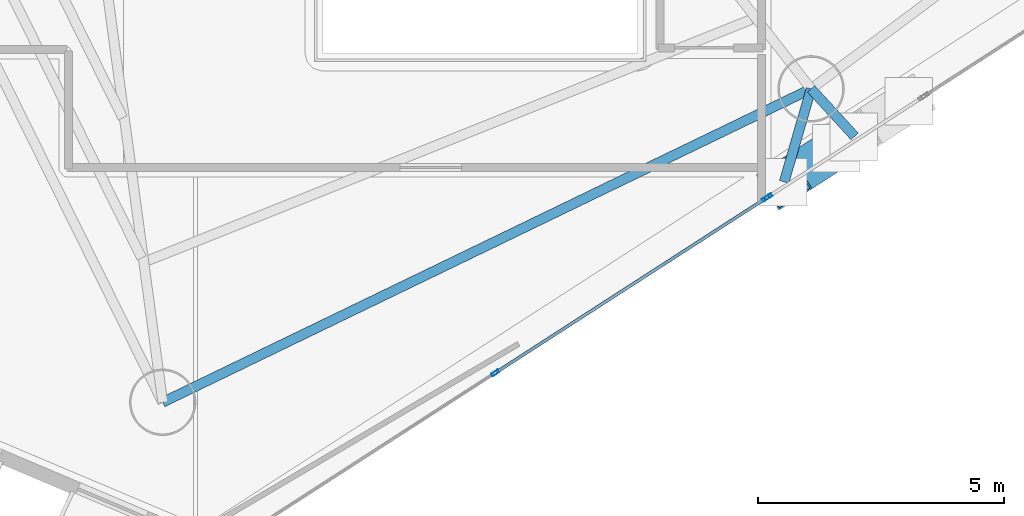
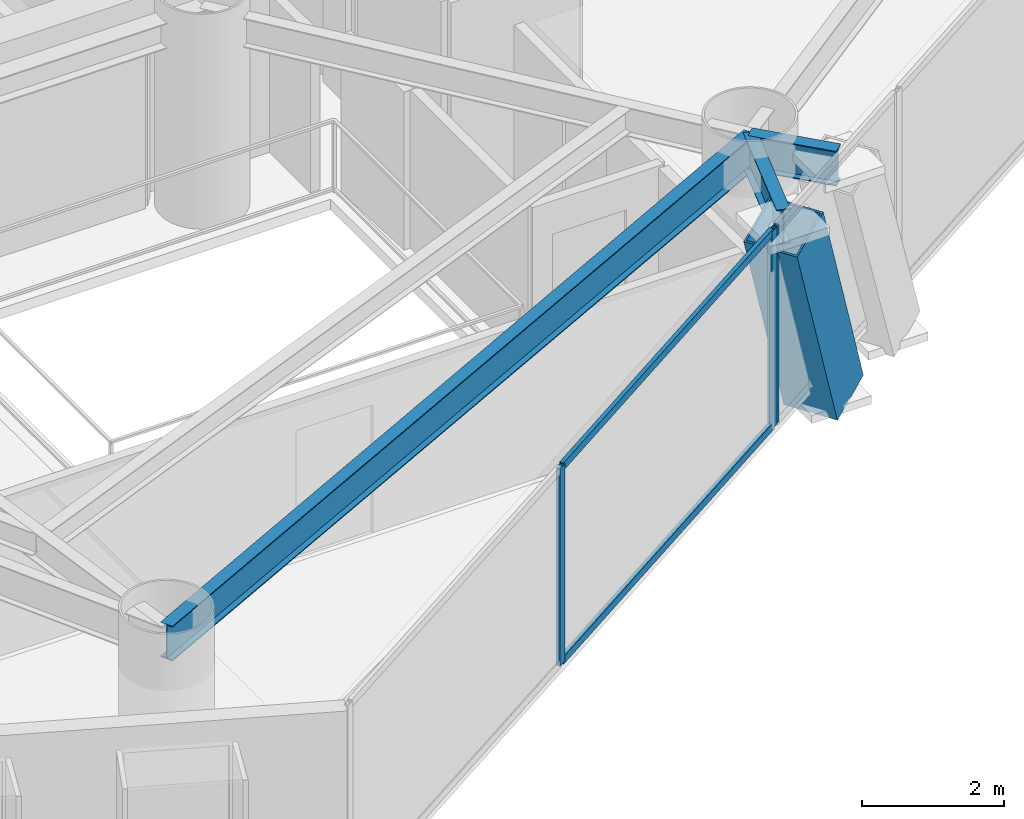
# One storey, part 5 of 22: 6 members, 3 beams, 2 elements without a shape of their own.
"""IFC4 building model written with IfcOpenShell, lengths in metres."""

from ifc_helpers import new_model, si_unit, direction, frame, origin, origin_2d, place, context, subcontext, project, spatial, hollow_rectangle, i_section, extrude, material, layer, layer_set, material_profile, profile_set, type_object, element, aggregate, save


model = new_model("IFC4")

# Units and contexts
model_context = context("Model", 3, precision=1e-05, world=origin(), true_north=direction((0.0, 1.0)))
body_context = subcontext(model_context, "Body", "Model", "MODEL_VIEW")
ifc_project = project(units=[si_unit("LENGTHUNIT", "METRE"), si_unit("AREAUNIT", "SQUARE_METRE"), si_unit("VOLUMEUNIT", "CUBIC_METRE"), si_unit("PLANEANGLEUNIT", "RADIAN"), si_unit("MASSUNIT", "GRAM", prefix="KILO")], contexts=[model_context])

# Site, building, storey
site_placement = place(None, origin())
site = spatial("IfcSite", under=ifc_project, at=site_placement, CompositionType="ELEMENT")
building_placement = place(site_placement, origin())
building = spatial("IfcBuilding", under=site, at=building_placement, Name="Qianvela Tower", CompositionType="ELEMENT")
storey_placement = place(building_placement, frame((0.0, 0.0, 180.89990234375)))
storey = spatial("IfcBuildingStorey", under=building, at=storey_placement, Name="L46", CompositionType="ELEMENT", Elevation=180.89990234375)

# Beams
ifc_material_1 = material(Name="Steel Q355B", Category="steel")
ifc_material_profile_1 = material_profile(ifc_material_1, i_section(OverallWidth=0.199951171875, OverallDepth=0.60009765625, WebThickness=0.010986328125, FlangeThickness=0.01708984375, at=origin_2d()), Name="HN600x200x11x17")
ifc_profile_set_1 = profile_set([ifc_material_profile_1], Name="Steel Q355B")
beam_type = type_object("IfcBeamType", Name="BM-HN600-GIRD", PredefinedType="BEAM", material=ifc_profile_set_1)
beam_1_placement = place(storey_placement, frame((43.52490234375, 17.279052734375, 3.09814453125), z_axis=(-0.277638974178, -0.960685484442, 0.0), x_axis=(0.960685484442, -0.277638974178, 0.0)))
element("IfcBeam", 1, at=beam_1_placement, inside=storey, type_object=beam_type, Name="L46 Mega-Brace Column Tie Bracket F3-1", PredefinedType="BEAM", context=body_context, shape_type="SweptSolid", body=[
    extrude(i_section(OverallWidth=0.199951171875, OverallDepth=0.60009765625, WebThickness=0.010986328125, FlangeThickness=0.01708984375, at=origin_2d()), origin(), (0.0, 0.0, 1.0), 1.96630859375),
])
beam_2_placement = place(storey_placement, frame((43.52490234375, 17.279052734375, 3.09814453125), z_axis=(0.675682424734, -0.737192824779, 0.0), x_axis=(0.737192824779, 0.675682424734, 0.0)))
element("IfcBeam", 2, at=beam_2_placement, inside=storey, type_object=beam_type, Name="L46 Mega-Brace Column Tie Bracket F3-2", PredefinedType="BEAM", context=body_context, shape_type="SweptSolid", body=[
    extrude(i_section(OverallWidth=0.199951171875, OverallDepth=0.60009765625, WebThickness=0.010986328125, FlangeThickness=0.01708984375, at=origin_2d()), origin(), (0.0, 0.0, 1.0), 1.309814453125),
])
beam_3_placement = place(storey_placement, frame((30.346923828125, 10.908935546875, 3.09814453125), z_axis=(0.900328583727, 0.435210801019, 0.0), x_axis=(-0.435210801019, 0.900328583727, 0.0)))
element("IfcBeam", 3, at=beam_3_placement, inside=storey, type_object=beam_type, Name="L46 Perimeter Ring Spandrel Girder 5", PredefinedType="BEAM", context=body_context, shape_type="SweptSolid", body=[
    extrude(i_section(OverallWidth=0.199951171875, OverallDepth=0.60009765625, WebThickness=0.010986328125, FlangeThickness=0.01708984375, at=origin_2d()), origin(), (0.0, 0.0, 1.0), 14.636962890625),
])

# Curtain wall, member
ifc_material_2 = material(Name="Anodised Architectural Aluminium and Insulated Spandrel Panel", Category="aluminium")
ifc_layer_1 = layer(ifc_material_2, 0.179931640625)
ifc_layer_set_1 = layer_set([ifc_layer_1], Name="Anodised Architectural Aluminium and Insulated Spandrel Panel")
curtain_wall_type_1 = type_object("IfcCurtainWallType", Name="CW-BRACEBAY", PredefinedType="USERDEFINED", material=ifc_layer_set_1)
curtain_wall_1_placement = place(storey_placement, origin())
curtain_wall_1 = element("IfcCurtainWall", 4, at=curtain_wall_1_placement, inside=storey, type_object=curtain_wall_type_1, Name="L46 CW-BRACEBAY Curtain Wall 06B", ObjectType="CURTAIN_WALL_SYSTEM", PredefinedType="USERDEFINED")
ifc_material_3 = material(Name="Anodised Architectural Aluminium 6063-T6", Category="aluminium")
ifc_material_profile_2 = material_profile(ifc_material_3, hollow_rectangle(XDim=0.06494140625, YDim=0.159912109375, WallThickness=0.0048828125, at=origin_2d()), Name="ALU-MULL-65x160")
ifc_profile_set_2 = profile_set([ifc_material_profile_2], Name="Anodised Architectural Aluminium 6063-T6")
member_type_1 = type_object("IfcMemberType", Name="CW-BRACEBAY-MULL", PredefinedType="MULLION", material=ifc_profile_set_2)
member_1_placement = place(storey_placement, frame((42.6572265625, 15.08740234375, 0.0), z_axis=(0.0, 0.0, 1.0), x_axis=(-0.542217014715, 0.840238483381, 0.0)))
member_1 = element("IfcMember", 5, at=member_1_placement, type_object=member_type_1, Name="CW-9 mullion 1", PredefinedType="MULLION", context=body_context, shape_type="SweptSolid", body=[
    extrude(hollow_rectangle(XDim=0.06494140625, YDim=0.159912109375, WallThickness=0.0048828125, at=origin_2d()), origin(), (0.0, 0.0, 1.0), 3.400146484375),
])
aggregate(curtain_wall_1, [member_1])

# Curtain wall, members
ifc_material_4 = material(Name="Anodised Architectural Aluminium and Low-E Glass", Category="aluminium")
ifc_layer_2 = layer(ifc_material_4, 0.169921875)
ifc_layer_set_2 = layer_set([ifc_layer_2], Name="Anodised Architectural Aluminium and Low-E Glass")
curtain_wall_type_2 = type_object("IfcCurtainWallType", Name="CW-COLIV-Z34", PredefinedType="USERDEFINED", material=ifc_layer_set_2)
curtain_wall_2_placement = place(storey_placement, origin())
curtain_wall_2 = element("IfcCurtainWall", 6, at=curtain_wall_2_placement, inside=storey, type_object=curtain_wall_type_2, Name="L46 CW-COLIV-Z34 Curtain Wall 06A", ObjectType="CURTAIN_WALL_SYSTEM", PredefinedType="USERDEFINED")
ifc_material_5 = material(Name="Anodised Architectural Aluminium 6063-T6", Category="aluminium")
ifc_material_profile_3 = material_profile(ifc_material_5, hollow_rectangle(XDim=0.06494140625, YDim=0.159912109375, WallThickness=0.0048828125, at=origin_2d()), Name="ALU-MULL-65x160")
ifc_profile_set_3 = profile_set([ifc_material_profile_3], Name="Anodised Architectural Aluminium 6063-T6")
member_type_2 = type_object("IfcMemberType", Name="CW-COLIV-Z34-MULL", PredefinedType="MULLION", material=ifc_profile_set_3)
member_2_placement = place(storey_placement, frame((37.105224609375, 11.5048828125, 0.0), z_axis=(0.0, 0.0, 1.0), x_axis=(-0.542188878074, 0.84025663966, 0.0)))
member_2 = element("IfcMember", 7, at=member_2_placement, type_object=member_type_2, Name="CW-4 mullion 2", PredefinedType="MULLION", context=body_context, shape_type="SweptSolid", body=[
    extrude(hollow_rectangle(XDim=0.06494140625, YDim=0.159912109375, WallThickness=0.0048828125, at=origin_2d()), origin(), (0.0, 0.0, 1.0), 3.400146484375),
])
member_3_placement = place(storey_placement, frame((42.602783203125, 15.052001953125, 0.0), z_axis=(0.0, 0.0, 1.0), x_axis=(-0.542188878074, 0.84025663966, 0.0)))
member_3 = element("IfcMember", 8, at=member_3_placement, type_object=member_type_2, Name="CW-4 mullion 3", PredefinedType="MULLION", context=body_context, shape_type="SweptSolid", body=[
    extrude(hollow_rectangle(XDim=0.06494140625, YDim=0.159912109375, WallThickness=0.0048828125, at=origin_2d()), origin(), (0.0, 0.0, 1.0), 3.400146484375),
])
ifc_material_6 = material(Name="Anodised Architectural Aluminium 6063-T6", Category="aluminium")
ifc_material_profile_4 = material_profile(ifc_material_6, hollow_rectangle(XDim=0.06494140625, YDim=0.1298828125, WallThickness=0.00439453125, at=origin_2d()), Name="ALU-TRAN-65x130")
ifc_profile_set_4 = profile_set([ifc_material_profile_4], Name="Anodised Architectural Aluminium 6063-T6")
member_type_3 = type_object("IfcMemberType", Name="CW-COLIV-Z34-TRAN", PredefinedType="USERDEFINED", material=ifc_profile_set_4)
member_4_placement = place(storey_placement, frame((37.132568359375, 11.5224609375, 0.03271484375), z_axis=(0.840266184544, 0.542174085614, 0.0), x_axis=(-0.542174085614, 0.840266184544, 0.0)))
member_4 = element("IfcMember", 9, at=member_4_placement, type_object=member_type_3, Name="CW-4 transom 2.1", ObjectType="TRANSOM", PredefinedType="USERDEFINED", context=body_context, shape_type="SweptSolid", body=[
    extrude(hollow_rectangle(XDim=0.06494140625, YDim=0.1298828125, WallThickness=0.00439453125, at=origin_2d()), origin(), (0.0, 0.0, 1.0), 6.4775390625),
])
member_5_placement = place(storey_placement, frame((37.132568359375, 11.5224609375, 3.36767578125), z_axis=(0.840266184544, 0.542174085614, 0.0), x_axis=(-0.542174085614, 0.840266184544, 0.0)))
member_5 = element("IfcMember", 10, at=member_5_placement, type_object=member_type_3, Name="CW-4 transom 2.2", ObjectType="TRANSOM", PredefinedType="USERDEFINED", context=body_context, shape_type="SweptSolid", body=[
    extrude(hollow_rectangle(XDim=0.06494140625, YDim=0.1298828125, WallThickness=0.00439453125, at=origin_2d()), origin(), (0.0, 0.0, 1.0), 6.4775390625),
])
aggregate(curtain_wall_2, [member_2, member_3, member_4, member_5])

# Member
ifc_material_7 = material(Name="Steel Q420GJC", Category="steel")
ifc_material_profile_5 = material_profile(ifc_material_7, hollow_rectangle(XDim=0.85009765625, YDim=0.85009765625, WallThickness=0.031982421875, at=origin_2d()), Name="MBOX-850x850x32")
ifc_profile_set_5 = profile_set([ifc_material_profile_5], Name="Steel Q420GJC")
member_type_4 = type_object("IfcMemberType", Name="MBR-MBRACE-850", PredefinedType="BRACE", material=ifc_profile_set_5)
member_6_placement = place(storey_placement, frame((44.021240234375, 16.062744140625, -0.48193359375), z_axis=(-0.275077633859, -0.177521405782, 0.944890705764), x_axis=(0.542238941014, -0.840224333644, 0.0)))
element("IfcMember", 11, at=member_6_placement, inside=storey, type_object=member_type_4, Name="L46 Tier 7 Exterior Mega-Brace F3A", PredefinedType="BRACE", context=body_context, shape_type="SweptSolid", body=[
    extrude(hollow_rectangle(XDim=0.85009765625, YDim=0.85009765625, WallThickness=0.031982421875, at=origin_2d()), origin(), (0.0, 0.0, 1.0), 3.788818359375),
])

save(model, "model.ifc")
